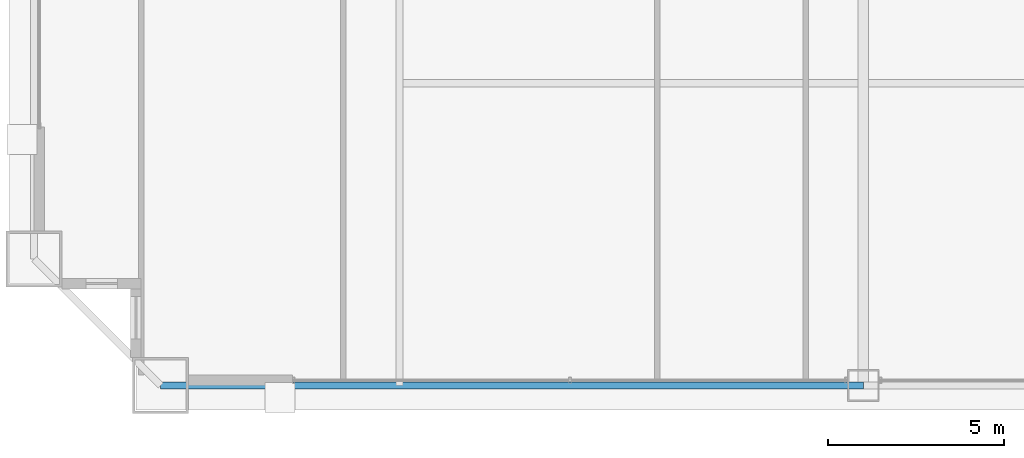
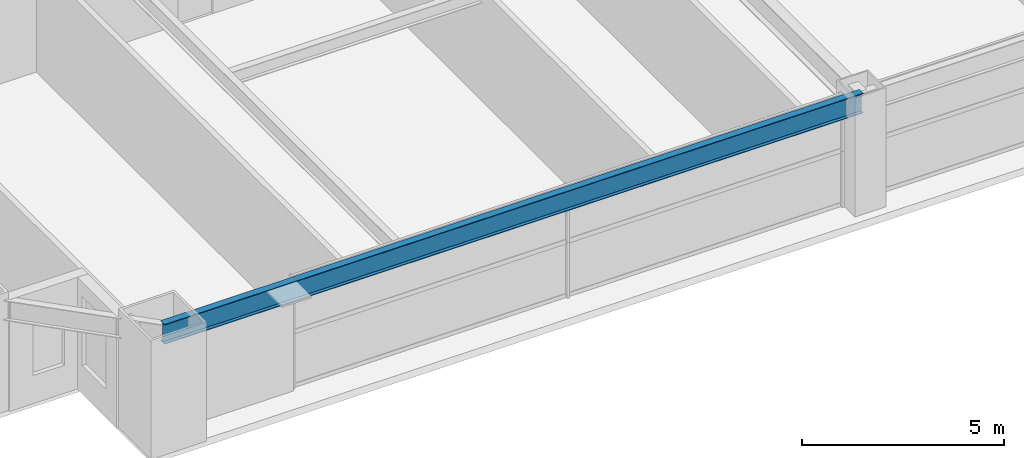
# One storey, part 5 of 39: 1 beam.
"""IFC4 building model written with IfcOpenShell, lengths in metres."""

import ifcopenshell
import ifcopenshell.guid

model = None  # the IFC model being written
_history = None  # IfcOwnerHistory: only IFC2X3 demands one
_inside = {}  # id of a spatial element -> (the spatial element, [elements in it])
_under = {}  # id of a project, library or spatial element -> (it, [spatial elements below it])
_declared = {}  # id of a project -> (the project, [libraries it declares])
_typed = {}  # id of a type object -> (the type object, [elements of that type])
_made_of = {}  # id of a material, layer set ... -> (it, [elements and type objects made of it])


def new_model(schema):
    """Start an empty IFC model of exactly this schema.

    Asked for "IFC4X3", IfcOpenShell would pick the latest addendum, in which some entities
    have other attributes; the version numbers below select the first issue.
    IFC2X3 requires an IfcOwnerHistory on every rooted entity: one is made here for all.
    """
    global model, _history
    if schema == "IFC4X3":
        model = ifcopenshell.file(schema_version=(4, 3, 0, 0))
    else:
        model = ifcopenshell.file(schema=schema)
    _inside.clear()
    _under.clear()
    _declared.clear()
    _typed.clear()
    _made_of.clear()
    _history = None
    if model.schema == "IFC2X3":
        org = make("IfcOrganization", Name="unknown")
        user = make(
            "IfcPersonAndOrganization",
            ThePerson=make("IfcPerson", FamilyName="unknown"),
            TheOrganization=org,
        )
        app = make(
            "IfcApplication",
            ApplicationDeveloper=org,
            Version="unknown",
            ApplicationFullName="unknown",
            ApplicationIdentifier="unknown",
        )
        _history = make(
            "IfcOwnerHistory",
            OwningUser=user,
            OwningApplication=app,
            ChangeAction="ADDED",
            CreationDate=0,
        )
    return model


def make(cls, **values):
    """One entity of the class cls with the attributes given. An attribute that is None is left unset."""
    return model.create_entity(
        cls, **{name: value for name, value in values.items() if value is not None}
    )


def rooted(cls, **values):
    """An entity with a GlobalId (a new one), such as an element, a storey or a relation."""
    return make(cls, GlobalId=ifcopenshell.guid.new(), OwnerHistory=_history, **values)


def si_unit(unit_type, name, prefix=None):
    """IfcSIUnit, for example si_unit("LENGTHUNIT", "METRE", prefix="MILLI")."""
    return make("IfcSIUnit", UnitType=unit_type, Prefix=prefix, Name=name)


def assignment(units):
    """IfcUnitAssignment: the units of a project."""
    return None if units is None else make("IfcUnitAssignment", Units=units)


def point(xyz):
    """IfcCartesianPoint."""
    return None if xyz is None else make("IfcCartesianPoint", Coordinates=xyz)


def direction(xyz):
    """IfcDirection."""
    return None if xyz is None else make("IfcDirection", DirectionRatios=xyz)


def frame(location, z_axis=None, x_axis=None):
    """IfcAxis2Placement3D, a coordinate frame: its origin and axes. An axis left out is left unset."""
    return make(
        "IfcAxis2Placement3D",
        Location=point(location),
        Axis=direction(z_axis),
        RefDirection=direction(x_axis),
    )


def frame_2d(location, x_axis=None):
    """IfcAxis2Placement2D, a coordinate frame in the plane: its origin and x axis."""
    return make(
        "IfcAxis2Placement2D", Location=point(location), RefDirection=direction(x_axis)
    )


def origin():
    """The frame at (0, 0, 0) with its axes left unset."""
    return frame((0.0, 0.0, 0.0))


def origin_2d():
    """The frame at (0, 0) in the plane with its x axis left unset."""
    return frame_2d((0.0, 0.0))


def place(relative_to, where):
    """IfcLocalPlacement: puts the frame where relative to a parent placement (None: the world)."""
    return make(
        "IfcLocalPlacement", PlacementRelTo=relative_to, RelativePlacement=where
    )


def context(
    kind, dimensions, precision=None, world=None, true_north=None, identifier=None
):
    """IfcGeometricRepresentationContext, for example the 3D "Model" context."""
    return make(
        "IfcGeometricRepresentationContext",
        ContextIdentifier=identifier,
        ContextType=kind,
        CoordinateSpaceDimension=dimensions,
        Precision=precision,
        WorldCoordinateSystem=world,
        TrueNorth=true_north,
    )


def subcontext(parent, identifier, kind, view, scale=None):
    """IfcGeometricRepresentationSubContext, for example "Body" below "Model"."""
    return make(
        "IfcGeometricRepresentationSubContext",
        ContextIdentifier=identifier,
        ContextType=kind,
        ParentContext=parent,
        TargetScale=scale,
        TargetView=view,
    )


def project(units=None, contexts=None):
    """IfcProject with its units and contexts."""
    return rooted(
        "IfcProject",
        Name="project",
        RepresentationContexts=contexts,
        UnitsInContext=assignment(units),
    )


def spatial(cls, under=None, at=None, **own):
    """A site, building, storey or space (cls), placed at a placement, below another one or the project."""
    s = rooted(cls, ObjectPlacement=at, **own)
    if under is not None:
        _under.setdefault(under.id(), (under, []))[1].append(s)
    return s


def profile(cls, at=None, kind="AREA", **sizes):
    """A parametric profile (cls). Its sizes go by their IFC names, for example OverallWidth=200.0."""
    return make(cls, ProfileType=kind, Position=at, **sizes)


def i_section(**sizes):
    """IfcIShapeProfileDef."""
    return profile("IfcIShapeProfileDef", **sizes)


def extrude(swept, where, along, depth):
    """IfcExtrudedAreaSolid: the profile swept, set in the frame where, extruded along a direction by depth."""
    return make(
        "IfcExtrudedAreaSolid",
        SweptArea=swept,
        Position=where,
        ExtrudedDirection=direction(along),
        Depth=depth,
    )


def shape(context_of_items, identifier, shape_type, items):
    """IfcShapeRepresentation: the items that make up one representation, for example the "Body"."""
    return make(
        "IfcShapeRepresentation",
        ContextOfItems=context_of_items,
        RepresentationIdentifier=identifier,
        RepresentationType=shape_type,
        Items=items,
    )


def source(mapping_origin, context_of_items, identifier, shape_type, items):
    """IfcRepresentationMap: a shape defined once, which mapped items show again and again."""
    return make(
        "IfcRepresentationMap",
        MappingOrigin=mapping_origin,
        MappedRepresentation=shape(context_of_items, identifier, shape_type, items),
    )


def transform(
    local_origin,
    x_axis=None,
    y_axis=None,
    z_axis=None,
    scale=None,
    scale2=None,
    scale3=None,
    uniform=True,
):
    """IfcCartesianTransformationOperator3D, or its non-uniform kind. x_axis, y_axis, z_axis: its Axis1, 2, 3."""
    if uniform:
        return make(
            "IfcCartesianTransformationOperator3D",
            Axis1=direction(x_axis),
            Axis2=direction(y_axis),
            LocalOrigin=point(local_origin),
            Scale=scale,
            Axis3=direction(z_axis),
        )
    return make(
        "IfcCartesianTransformationOperator3DnonUniform",
        Axis1=direction(x_axis),
        Axis2=direction(y_axis),
        LocalOrigin=point(local_origin),
        Scale=scale,
        Axis3=direction(z_axis),
        Scale2=scale2,
        Scale3=scale3,
    )


def mapped(mapping_source, mapping_target):
    """IfcMappedItem: shows the shape of a source again, moved by a transform."""
    return make(
        "IfcMappedItem", MappingSource=mapping_source, MappingTarget=mapping_target
    )


def material(Name=None, Category=None):
    """IfcMaterial."""
    return make("IfcMaterial", Name=Name, Category=Category)


def material_profile(
    of_material, cross_section, Name=None, Category=None, Priority=None
):
    """IfcMaterialProfile: a cross section and its material."""
    return make(
        "IfcMaterialProfile",
        Name=Name,
        Material=of_material,
        Profile=cross_section,
        Priority=Priority,
        Category=Category,
    )


def profile_set(profiles, Name=None, composite=None):
    """IfcMaterialProfileSet."""
    return make(
        "IfcMaterialProfileSet",
        Name=Name,
        MaterialProfiles=profiles,
        CompositeProfile=composite,
    )


def made_of(thing, what):
    """Note that an element or type object is made of a material, layer set ...; save() writes the relation."""
    if what is not None:
        _made_of.setdefault(what.id(), (what, []))[1].append(thing)
    return thing


def type_object(cls, material=None, **own):
    """A type object (cls), such as IfcWallType, which elements share."""
    return made_of(rooted(cls, **own), material)


def element(
    cls,
    number,
    at=None,
    inside=None,
    cuts=None,
    type_object=None,
    material=None,
    context=None,
    identifier="Body",
    shape_type=None,
    held_by="IfcProductDefinitionShape",
    body=None,
    shapes=None,
    **own,
):
    """One element of the class cls, such as IfcWall. Its Tag is "e" and its number.

    at: its placement. inside: the storey or other place that contains it. cuts: it is an
    opening in that element (IfcRelVoidsElement). A single representation is given by context,
    identifier, shape_type and body (its items); several are given by shapes. held_by: the class
    of the entity that holds the representations. save() writes the other relations.
    """
    e = rooted(cls, Tag="e%d" % number, ObjectPlacement=at, **own)
    if body is not None:
        shapes = [shape(context, identifier, shape_type, body)]
    if shapes is not None:
        e.Representation = make(held_by, Representations=shapes)
    if inside is not None:
        _inside.setdefault(inside.id(), (inside, []))[1].append(e)
    if cuts is not None:
        rooted(
            "IfcRelVoidsElement", RelatingBuildingElement=cuts, RelatedOpeningElement=e
        )
    if type_object is not None:
        _typed.setdefault(type_object.id(), (type_object, []))[1].append(e)
    return made_of(e, material)


def aggregate(whole, parts):
    """IfcRelAggregates: a whole, such as a stair, and the parts it consists of."""
    return rooted("IfcRelAggregates", RelatingObject=whole, RelatedObjects=parts)


def save(model, path):
    """Write the relations noted so far, then the file.

    IfcRelAggregates (storeys below a building ...), IfcRelContainedInSpatialStructure (elements
    in a storey), IfcRelDefinesByType, IfcRelAssociatesMaterial and IfcRelDeclares: one each for
    every whole, place, type object, material and project.
    """
    for whole, parts in _under.values():
        aggregate(whole, parts)
    for where, things in _inside.values():
        rooted(
            "IfcRelContainedInSpatialStructure",
            RelatedElements=things,
            RelatingStructure=where,
        )
    for kind, things in _typed.values():
        rooted("IfcRelDefinesByType", RelatedObjects=things, RelatingType=kind)
    for what, things in _made_of.values():
        rooted("IfcRelAssociatesMaterial", RelatedObjects=things, RelatingMaterial=what)
    for by, libraries in _declared.values():
        rooted("IfcRelDeclares", RelatingContext=by, RelatedDefinitions=libraries)
    model.write(path)


model = new_model("IFC4")

# Units and contexts
model_context = context("Model", 3, precision=1e-05, world=origin(), true_north=direction((0.0, 1.0)))
body_context = subcontext(model_context, "Body", "Model", "MODEL_VIEW")
ifc_project = project(units=[si_unit("LENGTHUNIT", "METRE"), si_unit("AREAUNIT", "SQUARE_METRE"), si_unit("VOLUMEUNIT", "CUBIC_METRE"), si_unit("PLANEANGLEUNIT", "RADIAN"), si_unit("MASSUNIT", "GRAM", prefix="KILO"), si_unit("THERMODYNAMICTEMPERATUREUNIT", "KELVIN"), si_unit("POWERUNIT", "WATT")], contexts=[model_context])

# Site, building, storey
site_placement = place(None, origin())
site = spatial("IfcSite", under=ifc_project, at=site_placement, CompositionType="ELEMENT")
building_placement = place(site_placement, origin())
building = spatial("IfcBuilding", under=site, at=building_placement, Name="Yuzanri Waterfront Tower", CompositionType="ELEMENT")
storey_placement = place(building_placement, frame((0.0, 0.0, 148.800048828125)))
storey = spatial("IfcBuildingStorey", under=building, at=storey_placement, Name="L39", CompositionType="ELEMENT", Elevation=148.800048828125)

# Beam
ifc_material = material(Name="Steel Q355B", Category="steel")
ifc_material_profile = material_profile(ifc_material, i_section(OverallWidth=0.199951171875, OverallDepth=0.60009765625, WebThickness=0.010986328125, FlangeThickness=0.01708984375, at=origin_2d()), Name="HN 600x200x11x17")
ifc_profile_set = profile_set([ifc_material_profile], Name="Steel Q355B")
beam_type = type_object("IfcBeamType", Name="Perimeter Spandrel Q355B HN 600x200", PredefinedType="SPANDREL", material=ifc_profile_set)
shared_shape = source(origin(), body_context, "Body", "SweptSolid", [
    extrude(i_section(OverallWidth=0.199951171875, OverallDepth=0.60009765625, WebThickness=0.010986328125, FlangeThickness=0.01708984375, at=origin_2d()), origin(), (0.0, 0.0, 1.0), 20.0),
])
beam_placement = place(storey_placement, frame((17.0, 2.199951171875, 3.079833984375), z_axis=(1.0, 0.0, 0.0), x_axis=(0.0, 1.0, 0.0)))
element("IfcBeam", 1, at=beam_placement, inside=storey, type_object=beam_type, Name="L39 Perimeter Spandrel S1-S2", PredefinedType="SPANDREL", context=body_context, shape_type="MappedRepresentation", body=[
    mapped(shared_shape, transform((0.0, 0.0, 0.0), scale=1.0)),
])

save(model, "model.ifc")
